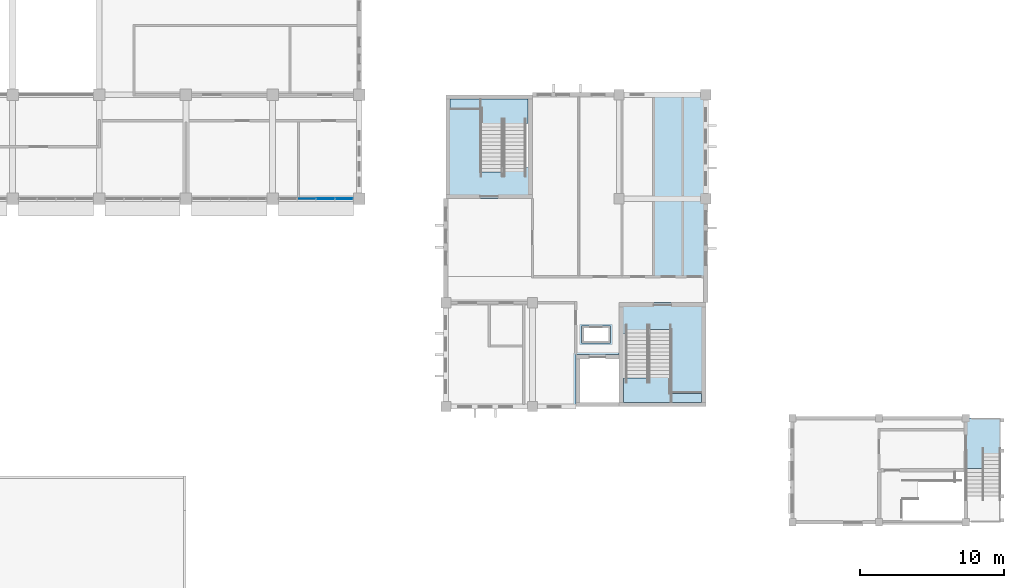
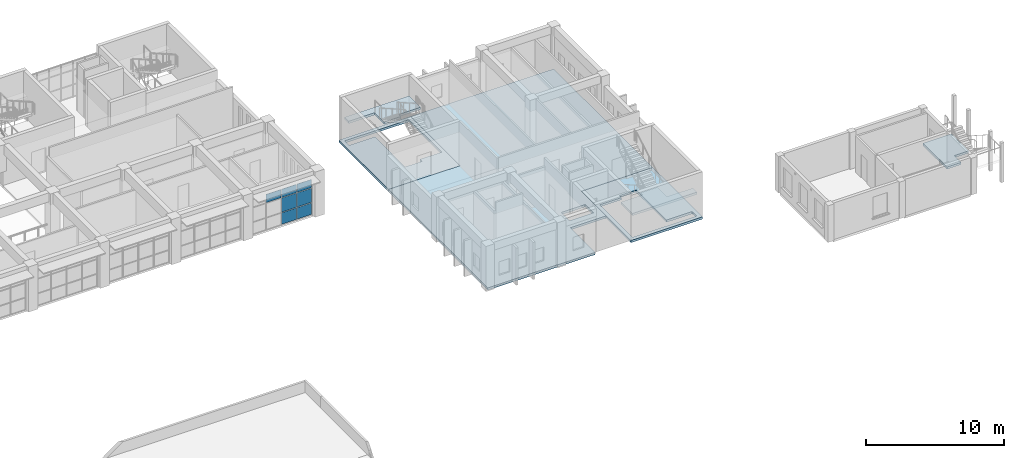
# One storey, part 27 of 47: 7 plates, 6 slabs, 4 elements without a shape of their own.
"""IFC4 building model written with IfcOpenShell, lengths in metres."""

from ifc_helpers import new_model, si_unit, direction, frame, origin, origin_2d, place, context, subcontext, project, spatial, polyline, rectangle, outline, extrude, material, layer, layer_set, type_object, element, aggregate, save


model = new_model("IFC4")

# Units and contexts
model_context = context("Model", 3, precision=1e-05, world=origin(), true_north=direction((0.0, 1.0)))
body_context = subcontext(model_context, "Body", "Model", "MODEL_VIEW")
ifc_project = project(units=[si_unit("LENGTHUNIT", "METRE"), si_unit("AREAUNIT", "SQUARE_METRE"), si_unit("VOLUMEUNIT", "CUBIC_METRE"), si_unit("PLANEANGLEUNIT", "RADIAN"), si_unit("MASSUNIT", "GRAM", prefix="KILO")], contexts=[model_context])

# Site, building, storey
site_placement = place(None, origin())
site = spatial("IfcSite", under=ifc_project, at=site_placement, CompositionType="ELEMENT")
building_placement = place(site_placement, origin())
building = spatial("IfcBuilding", under=site, at=building_placement, Name="Laocheng Heights Fire and Rescue Headquarters", CompositionType="ELEMENT")
storey_placement = place(building_placement, frame((0.0, 0.0, 16.800048828125)))
storey = spatial("IfcBuildingStorey", under=building, at=storey_placement, Name="L04", CompositionType="ELEMENT", Elevation=16.800048828125)

# Curtain wall, plates
ifc_material_1 = material(Name="Dark anodised aluminium unitised curtain wall, low-e double glazing", Category="aluminium")
curtain_wall_type = type_object("IfcCurtainWallType", Name="CW 5200 x 3200 HQ SOUTH RIBBON", PredefinedType="NOTDEFINED", material=ifc_material_1)
curtain_wall_placement = place(storey_placement, origin())
curtain_wall = element("IfcCurtainWall", 1, at=curtain_wall_placement, inside=storey, type_object=curtain_wall_type, Name="X13-X HQ SOUTH L04", PredefinedType="NOTDEFINED")
ifc_material_2 = material(Name="Laminated safety glass, low-e double glazed unit", Category="glass")
ifc_layer_1 = layer(ifc_material_2, 0.0400390625)
ifc_layer_set_1 = layer_set([ifc_layer_1], Name="Laminated safety glass, low-e double glazed unit")
plate_type_1 = type_object("IfcPlateType", Name="CW LAMINATED SAFETY PANEL 40 X", PredefinedType="CURTAIN_PANEL", material=ifc_layer_set_1)
plate_1_placement = place(storey_placement, frame((81.64990234375, 50.39990234375, 0.050048828125), z_axis=(0.0, 0.0, 1.0), x_axis=(1.0, 0.0, 0.0)))
plate_1 = element("IfcPlate", 2, at=plate_1_placement, type_object=plate_type_1, Name="X13-X panel 3.1", PredefinedType="CURTAIN_PANEL", context=body_context, shape_type="SweptSolid", body=[
    extrude(rectangle(XDim=1.239990234375, YDim=0.0400390625, at=origin_2d()), origin(), (0.0, 0.0, 1.0), 1.02490234375),
])
plate_2_placement = place(storey_placement, frame((82.93505859375, 50.39990234375, 0.050048828125), z_axis=(0.0, 0.0, 1.0), x_axis=(1.0, 0.0, 0.0)))
plate_2 = element("IfcPlate", 3, at=plate_2_placement, type_object=plate_type_1, Name="X13-X panel 4.1", PredefinedType="CURTAIN_PANEL", context=body_context, shape_type="SweptSolid", body=[
    extrude(rectangle(XDim=1.2099609375, YDim=0.0400390625, at=origin_2d()), origin(), (0.0, 0.0, 1.0), 1.02490234375),
])
ifc_material_3 = material(Name="Low-e double glazed unit, laminated inner pane")
ifc_layer_2 = layer(ifc_material_3, 0.028076171875)
ifc_layer_set_2 = layer_set([ifc_layer_2], Name="Low-e double glazed unit, laminated inner pane")
plate_type_2 = type_object("IfcPlateType", Name="CW VISION PANEL 28 X", PredefinedType="CURTAIN_PANEL", material=ifc_layer_set_2)
plate_3_placement = place(storey_placement, frame((80.35009765625, 50.39990234375, 2.4248046875), z_axis=(0.0, 0.0, 1.0), x_axis=(1.0, 0.0, 0.0)))
plate_3 = element("IfcPlate", 4, at=plate_3_placement, type_object=plate_type_2, Name="X13-X panel 2.3", PredefinedType="CURTAIN_PANEL", context=body_context, shape_type="SweptSolid", body=[
    extrude(rectangle(XDim=1.239990234375, YDim=0.028076171875, at=origin_2d()), origin(), (0.0, 0.0, 1.0), 0.72509765625),
])
plate_4_placement = place(storey_placement, frame((81.64990234375, 50.39990234375, 1.125), z_axis=(0.0, 0.0, 1.0), x_axis=(1.0, 0.0, 0.0)))
plate_4 = element("IfcPlate", 5, at=plate_4_placement, type_object=plate_type_2, Name="X13-X panel 3.2", PredefinedType="CURTAIN_PANEL", context=body_context, shape_type="SweptSolid", body=[
    extrude(rectangle(XDim=1.239990234375, YDim=0.028076171875, at=origin_2d()), origin(), (0.0, 0.0, 1.0), 1.25),
])
plate_5_placement = place(storey_placement, frame((81.64990234375, 50.39990234375, 2.4248046875), z_axis=(0.0, 0.0, 1.0), x_axis=(1.0, 0.0, 0.0)))
plate_5 = element("IfcPlate", 6, at=plate_5_placement, type_object=plate_type_2, Name="X13-X panel 3.3", PredefinedType="CURTAIN_PANEL", context=body_context, shape_type="SweptSolid", body=[
    extrude(rectangle(XDim=1.239990234375, YDim=0.028076171875, at=origin_2d()), origin(), (0.0, 0.0, 1.0), 0.72509765625),
])
plate_6_placement = place(storey_placement, frame((82.93505859375, 50.39990234375, 1.125), z_axis=(0.0, 0.0, 1.0), x_axis=(1.0, 0.0, 0.0)))
plate_6 = element("IfcPlate", 7, at=plate_6_placement, type_object=plate_type_2, Name="X13-X panel 4.2", PredefinedType="CURTAIN_PANEL", context=body_context, shape_type="SweptSolid", body=[
    extrude(rectangle(XDim=1.2099609375, YDim=0.028076171875, at=origin_2d()), origin(), (0.0, 0.0, 1.0), 1.25),
])
plate_7_placement = place(storey_placement, frame((82.93505859375, 50.39990234375, 2.4248046875), z_axis=(0.0, 0.0, 1.0), x_axis=(1.0, 0.0, 0.0)))
plate_7 = element("IfcPlate", 8, at=plate_7_placement, type_object=plate_type_2, Name="X13-X panel 4.3", PredefinedType="CURTAIN_PANEL", context=body_context, shape_type="SweptSolid", body=[
    extrude(rectangle(XDim=1.2099609375, YDim=0.028076171875, at=origin_2d()), origin(), (0.0, 0.0, 1.0), 0.72509765625),
])
aggregate(curtain_wall, [plate_3, plate_1, plate_4, plate_5, plate_2, plate_6, plate_7])

# Slab
ifc_material_4 = material(Name="Concrete C40", Category="concrete")
ifc_layer_3 = layer(ifc_material_4, 0.199951171875)
ifc_layer_set_3 = layer_set([ifc_layer_3], Name="Concrete C40")
slab_type_1 = type_object("IfcSlabType", Name="RC FLOOR SLAB 200 CREW", PredefinedType="FLOOR", material=ifc_layer_set_3)
slab_1_placement = place(storey_placement, frame((0.0, 0.0, -0.199951171875)))
element("IfcSlab", 9, at=slab_1_placement, inside=storey, type_object=slab_type_1, Name="Crew floor L04", PredefinedType="FLOOR", context=body_context, shape_type="SweptSolid", body=[
    extrude(outline(polyline([(108.0, 57.60009765625), (96.0, 57.60009765625), (96.0, 50.39990234375), (90.0, 50.39990234375), (90.0, 36.0), (99.0, 36.0), (99.0, 39.60009765625), (102.0, 39.60009765625), (102.0, 43.199951171875), (108.0, 43.199951171875), (108.0, 57.60009765625)]), holes=[polyline([(101.39990234375, 41.60009765625), (101.39990234375, 40.39990234375), (99.39990234375, 40.39990234375), (99.39990234375, 41.60009765625), (101.39990234375, 41.60009765625)])]), origin(), (0.0, 0.0, 1.0), 0.199951171875),
])

# Stair, slab
ifc_material_5 = material(Name="Concrete C40", Category="concrete")
stair_type_1 = type_object("IfcStairType", Name="RC STAIR 1400 TWO FLIGHTS 28 RISERS OF 150 GOING 260", PredefinedType="HALF_TURN_STAIR", material=ifc_material_5)
stair_1_placement = place(storey_placement, origin())
stair_1 = element("IfcStair", 10, at=stair_1_placement, inside=storey, type_object=stair_type_1, Name="Stair C1 (L04 to L05)", PredefinedType="HALF_TURN_STAIR")
ifc_material_6 = material(Name="Concrete C40", Category="concrete")
ifc_layer_4 = layer(ifc_material_6, 0.199951171875)
ifc_layer_set_4 = layer_set([ifc_layer_4], Name="Concrete C40")
slab_type_2 = type_object("IfcSlabType", Name="STAIR FLOOR LANDING 200", PredefinedType="LANDING", material=ifc_layer_set_4)
slab_2_placement = place(storey_placement, frame((0.0, 0.0, -0.199951171875)))
slab_2 = element("IfcSlab", 11, at=slab_2_placement, type_object=slab_type_2, Name="Stair C1 floor landing L04", PredefinedType="LANDING", context=body_context, shape_type="SweptSolid", body=[
    extrude(outline(polyline([(102.0, 43.199951171875), (108.0, 43.199951171875), (108.0, 36.0), (102.0, 36.0), (102.0, 43.199951171875)]), holes=[polyline([(105.52490234375, 36.300048828125), (107.699951171875, 36.300048828125), (107.699951171875, 36.89990234375), (107.64990234375, 36.89990234375), (107.64990234375, 36.949951171875), (105.52490234375, 36.949951171875), (105.52490234375, 38.270263671875), (105.52490234375, 41.346923828125), (104.125, 41.346923828125), (104.125, 41.0498046875), (102.300048828125, 41.0498046875), (102.300048828125, 37.972900390625), (102.300048828125, 36.300048828125), (104.125, 36.300048828125), (105.52490234375, 36.300048828125)])]), origin(), (0.0, 0.0, 1.0), 0.199951171875),
])

stair_2_placement = place(storey_placement, origin())
stair_2 = element("IfcStair", 12, at=stair_2_placement, inside=storey, type_object=stair_type_1, Name="Stair C2 (L04 to L05)", PredefinedType="HALF_TURN_STAIR")
slab_3_placement = place(storey_placement, frame((0.0, 0.0, -0.199951171875)))
slab_3 = element("IfcSlab", 13, at=slab_3_placement, type_object=slab_type_2, Name="Stair C2 floor landing L04", PredefinedType="LANDING", context=body_context, shape_type="SweptSolid", body=[
    extrude(outline(polyline([(90.0, 57.60009765625), (96.0, 57.60009765625), (96.0, 50.39990234375), (90.0, 50.39990234375), (90.0, 57.60009765625)]), holes=[polyline([(92.47509765625, 57.300048828125), (90.300048828125, 57.300048828125), (90.300048828125, 56.699951171875), (90.35009765625, 56.699951171875), (90.35009765625, 56.64990234375), (92.47509765625, 56.64990234375), (92.47509765625, 55.329833984375), (92.47509765625, 52.2529296875), (93.875, 52.2529296875), (93.875, 52.550048828125), (95.699951171875, 52.550048828125), (95.699951171875, 55.626953125), (95.699951171875, 57.300048828125), (93.875, 57.300048828125), (92.47509765625, 57.300048828125)])]), origin(), (0.0, 0.0, 1.0), 0.199951171875),
])

ifc_material_7 = material(Name="Concrete C40", Category="concrete")
stair_type_2 = type_object("IfcStairType", Name="RC STAIR 1200 TWO FLIGHTS 20 RISERS OF 175 GOING 270", PredefinedType="HALF_TURN_STAIR", material=ifc_material_7)
stair_3_placement = place(storey_placement, origin())
stair_3 = element("IfcStair", 14, at=stair_3_placement, inside=storey, type_object=stair_type_2, Name="Stair T2 (F6 to roof)", PredefinedType="HALF_TURN_STAIR")
slab_4_placement = place(storey_placement, frame((0.0, 0.0, 0.5)))
slab_4 = element("IfcSlab", 15, at=slab_4_placement, type_object=slab_type_2, Name="Stair T2 floor landing F6", PredefinedType="LANDING", context=body_context, shape_type="SweptSolid", body=[
    extrude(outline(polyline([(126.0, 31.717041015625), (127.199951171875, 31.717041015625), (127.199951171875, 32.7080078125), (128.39990234375, 32.7080078125), (128.39990234375, 32.800048828125), (128.39990234375, 35.199951171875), (126.0, 35.199951171875), (126.0, 32.800048828125), (126.0, 32.800048828125), (126.0, 31.717041015625)])), origin(), (0.0, 0.0, 1.0), 0.199951171875),
])
aggregate(stair_3, [slab_4])

# Slab
ifc_material_8 = material(Name="Concrete C40", Category="concrete")
ifc_layer_5 = layer(ifc_material_8, 0.201904296875)
ifc_layer_set_5 = layer_set([ifc_layer_5], Name="Concrete C40")
slab_type_3 = type_object("IfcSlabType", Name="STAIR HALF LANDING 202", PredefinedType="LANDING", material=ifc_layer_set_5)
slab_5_placement = place(storey_placement, frame((0.0, 0.0, 1.89990234375)))
slab_5 = element("IfcSlab", 16, at=slab_5_placement, type_object=slab_type_3, Name="C1-L04 landing 1", PredefinedType="LANDING", context=body_context, shape_type="SweptSolid", body=[
    extrude(outline(polyline([(107.699951171875, 36.89990234375), (107.699951171875, 36.300048828125), (105.52490234375, 36.300048828125), (104.125, 36.300048828125), (102.300048828125, 36.300048828125), (102.300048828125, 37.972900390625), (104.125, 37.972900390625), (104.125, 38.270263671875), (105.52490234375, 38.270263671875), (105.52490234375, 36.89990234375), (107.699951171875, 36.89990234375)])), origin(), (0.0, 0.0, 1.0), 0.2021484375),
])

aggregate(stair_1, [slab_5, slab_2])

slab_6_placement = place(storey_placement, frame((0.0, 0.0, 1.89990234375)))
slab_6 = element("IfcSlab", 17, at=slab_6_placement, type_object=slab_type_3, Name="C2-L04 landing 1", PredefinedType="LANDING", context=body_context, shape_type="SweptSolid", body=[
    extrude(outline(polyline([(90.300048828125, 56.699951171875), (90.300048828125, 57.300048828125), (92.47509765625, 57.300048828125), (93.875, 57.300048828125), (95.699951171875, 57.300048828125), (95.699951171875, 55.626953125), (93.875, 55.626953125), (93.875, 55.329833984375), (92.47509765625, 55.329833984375), (92.47509765625, 56.699951171875), (90.300048828125, 56.699951171875)])), origin(), (0.0, 0.0, 1.0), 0.2021484375),
])

aggregate(stair_2, [slab_6, slab_3])

save(model, "model.ifc")
